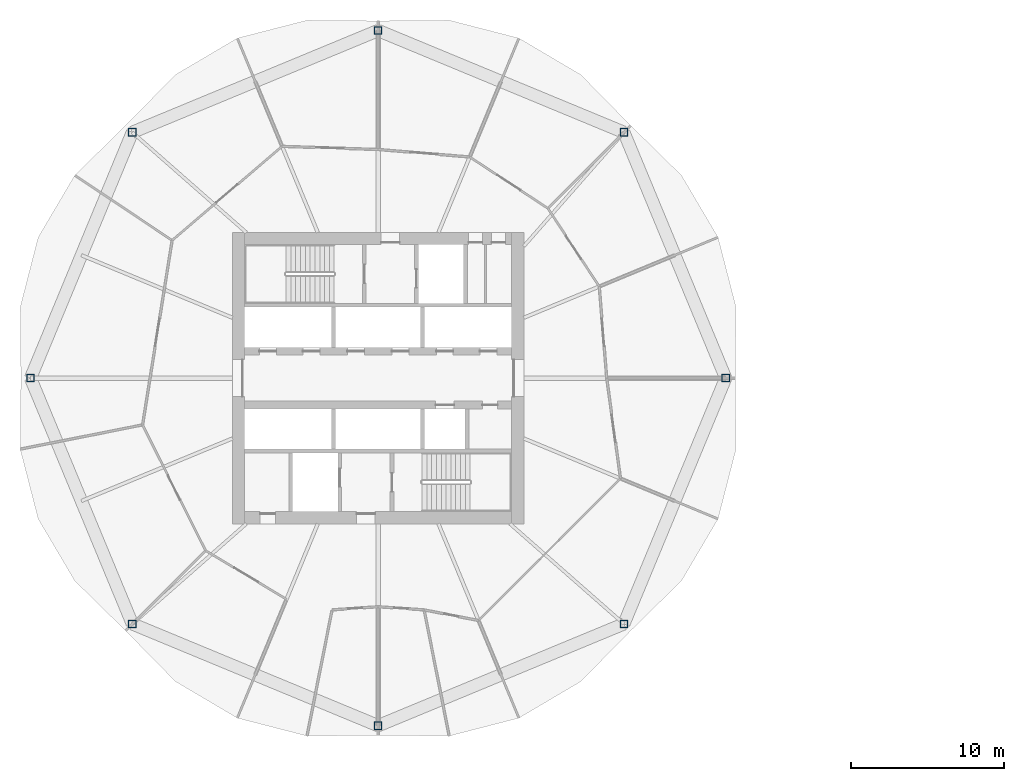
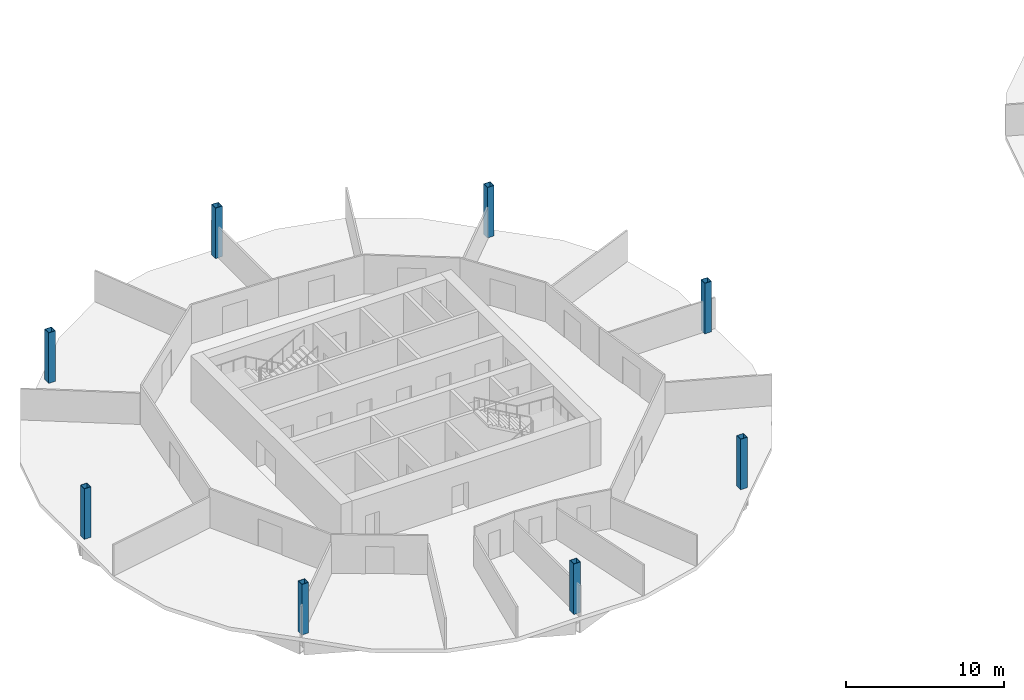
# One storey, part 1 of 9: 8 columns.
"""IFC4 building model written with IfcOpenShell, lengths in metres."""

from ifc_helpers import new_model, si_unit, direction, frame, origin, origin_2d, place, context, subcontext, project, spatial, hollow_rectangle, extrude, material, material_profile, profile_set, type_object, element, save


model = new_model("IFC4")

# Units and contexts
model_context = context("Model", 3, precision=1e-05, world=origin(), true_north=direction((0.0, 1.0)))
body_context = subcontext(model_context, "Body", "Model", "MODEL_VIEW")
ifc_project = project(units=[si_unit("LENGTHUNIT", "METRE"), si_unit("AREAUNIT", "SQUARE_METRE"), si_unit("VOLUMEUNIT", "CUBIC_METRE"), si_unit("PLANEANGLEUNIT", "RADIAN"), si_unit("MASSUNIT", "GRAM", prefix="KILO")], contexts=[model_context])

# Site, building, storey
site_placement = place(None, origin())
site = spatial("IfcSite", under=ifc_project, at=site_placement, CompositionType="ELEMENT")
building_placement = place(site_placement, origin())
building = spatial("IfcBuilding", under=site, at=building_placement, Name="Ogive Gate Towers", CompositionType="ELEMENT")
storey_placement = place(building_placement, frame((0.0, 0.0, 80.10009765625)))
storey = spatial("IfcBuildingStorey", under=building, at=storey_placement, Name="L18", CompositionType="ELEMENT", Elevation=80.10009765625)

# Columns
ifc_material = material(Name="Steel SM460", Category="steel")
ifc_material_profile = material_profile(ifc_material, hollow_rectangle(XDim=0.5, YDim=0.5, WallThickness=0.030029296875, at=origin_2d()), Name="BX 500x500x30")
ifc_profile_set = profile_set([ifc_material_profile], Name="Steel SM460")
column_type = type_object("IfcColumnType", Name="Perimeter post BX 500x500x30", PredefinedType="COLUMN", material=ifc_profile_set)
for number, where, z_axis, x_axis, name in (
    (1, (-13.330078125, 0.0, 0.0), (0.0, 0.0, 1.0), (1.0, 0.0, 0.0), "T1/L18/SCL001"),
    (2, (-19.969970703125, 16.030029296875, 0.0), (0.0, 0.0, 1.0), (1.0, 0.0, 0.0), "T1/L18/SCL002"),
    (3, (-36.0, 22.669921875, 0.0), (0.0, 0.0, 1.0), (1.0, 0.0, 0.0), "T1/L18/SCL003"),
    (4, (-52.030029296875, 16.030029296875, 0.0), (0.0, 0.0, 1.0), (1.0, 0.0, 0.0), "T1/L18/SCL004"),
    (5, (-58.669921875, 0.0, 0.0), (0.0, 0.0, 1.0), (1.0, 0.0, 0.0), "T1/L18/SCL005"),
    (6, (-52.030029296875, -16.030029296875, 0.0), (0.0, 0.0, 1.0), (1.0, 0.0, 0.0), "T1/L18/SCL006"),
    (7, (-36.0, -22.669921875, 0.0), (0.0, 0.0, 1.0), (1.0, 0.0, 0.0), "T1/L18/SCL007"),
    (8, (-19.969970703125, -16.030029296875, 0.0), (0.0, 0.0, 1.0), (1.0, 0.0, 0.0), "T1/L18/SCL008"),
):
    element("IfcColumn", number, at=place(storey_placement, frame(where, z_axis=z_axis, x_axis=x_axis)), inside=storey, type_object=column_type, Name=name, PredefinedType="COLUMN", context=body_context, shape_type="SweptSolid", body=[
        extrude(hollow_rectangle(XDim=0.5, YDim=0.5, WallThickness=0.030029296875, at=origin_2d()), origin(), (0.0, 0.0, 1.0), 3.89990234375),
    ])

save(model, "model.ifc")
